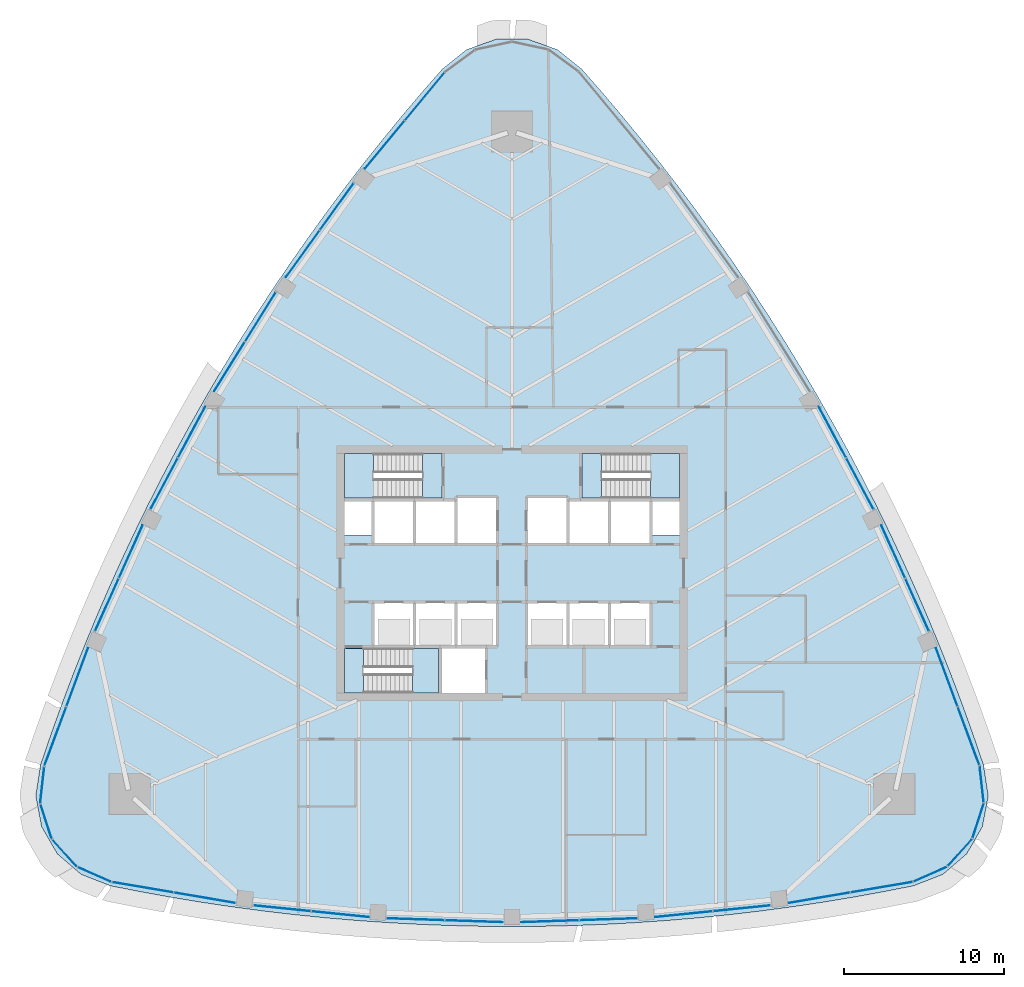
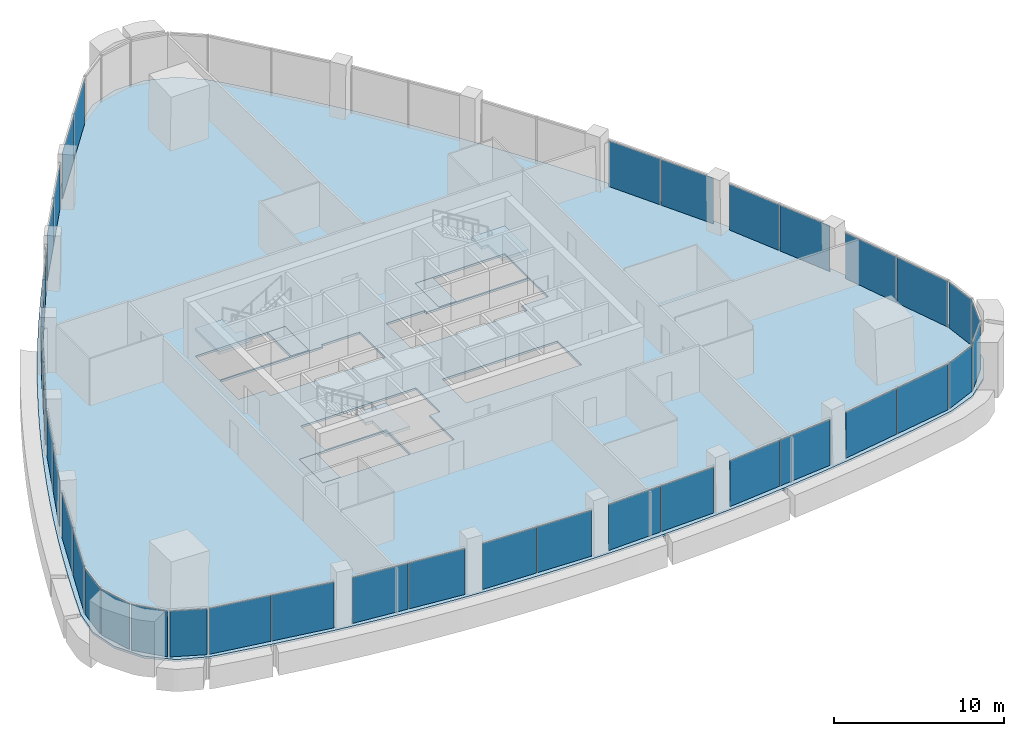
# One storey, part 8 of 16: 38 plates, 7 slabs, 26 elements without a shape of their own.
"""IFC4 building model written with IfcOpenShell, lengths in metres."""

import ifcopenshell
import ifcopenshell.guid

model = None  # the IFC model being written
_history = None  # IfcOwnerHistory: only IFC2X3 demands one
_inside = {}  # id of a spatial element -> (the spatial element, [elements in it])
_under = {}  # id of a project, library or spatial element -> (it, [spatial elements below it])
_declared = {}  # id of a project -> (the project, [libraries it declares])
_typed = {}  # id of a type object -> (the type object, [elements of that type])
_made_of = {}  # id of a material, layer set ... -> (it, [elements and type objects made of it])


def new_model(schema):
    """Start an empty IFC model of exactly this schema.

    Asked for "IFC4X3", IfcOpenShell would pick the latest addendum, in which some entities
    have other attributes; the version numbers below select the first issue.
    IFC2X3 requires an IfcOwnerHistory on every rooted entity: one is made here for all.
    """
    global model, _history
    if schema == "IFC4X3":
        model = ifcopenshell.file(schema_version=(4, 3, 0, 0))
    else:
        model = ifcopenshell.file(schema=schema)
    _inside.clear()
    _under.clear()
    _declared.clear()
    _typed.clear()
    _made_of.clear()
    _history = None
    if model.schema == "IFC2X3":
        org = make("IfcOrganization", Name="unknown")
        user = make(
            "IfcPersonAndOrganization",
            ThePerson=make("IfcPerson", FamilyName="unknown"),
            TheOrganization=org,
        )
        app = make(
            "IfcApplication",
            ApplicationDeveloper=org,
            Version="unknown",
            ApplicationFullName="unknown",
            ApplicationIdentifier="unknown",
        )
        _history = make(
            "IfcOwnerHistory",
            OwningUser=user,
            OwningApplication=app,
            ChangeAction="ADDED",
            CreationDate=0,
        )
    return model


def make(cls, **values):
    """One entity of the class cls with the attributes given. An attribute that is None is left unset."""
    return model.create_entity(
        cls, **{name: value for name, value in values.items() if value is not None}
    )


def rooted(cls, **values):
    """An entity with a GlobalId (a new one), such as an element, a storey or a relation."""
    return make(cls, GlobalId=ifcopenshell.guid.new(), OwnerHistory=_history, **values)


def si_unit(unit_type, name, prefix=None):
    """IfcSIUnit, for example si_unit("LENGTHUNIT", "METRE", prefix="MILLI")."""
    return make("IfcSIUnit", UnitType=unit_type, Prefix=prefix, Name=name)


def assignment(units):
    """IfcUnitAssignment: the units of a project."""
    return None if units is None else make("IfcUnitAssignment", Units=units)


def point(xyz):
    """IfcCartesianPoint."""
    return None if xyz is None else make("IfcCartesianPoint", Coordinates=xyz)


def direction(xyz):
    """IfcDirection."""
    return None if xyz is None else make("IfcDirection", DirectionRatios=xyz)


def frame(location, z_axis=None, x_axis=None):
    """IfcAxis2Placement3D, a coordinate frame: its origin and axes. An axis left out is left unset."""
    return make(
        "IfcAxis2Placement3D",
        Location=point(location),
        Axis=direction(z_axis),
        RefDirection=direction(x_axis),
    )


def frame_2d(location, x_axis=None):
    """IfcAxis2Placement2D, a coordinate frame in the plane: its origin and x axis."""
    return make(
        "IfcAxis2Placement2D", Location=point(location), RefDirection=direction(x_axis)
    )


def origin():
    """The frame at (0, 0, 0) with its axes left unset."""
    return frame((0.0, 0.0, 0.0))


def origin_2d():
    """The frame at (0, 0) in the plane with its x axis left unset."""
    return frame_2d((0.0, 0.0))


def place(relative_to, where):
    """IfcLocalPlacement: puts the frame where relative to a parent placement (None: the world)."""
    return make(
        "IfcLocalPlacement", PlacementRelTo=relative_to, RelativePlacement=where
    )


def context(
    kind, dimensions, precision=None, world=None, true_north=None, identifier=None
):
    """IfcGeometricRepresentationContext, for example the 3D "Model" context."""
    return make(
        "IfcGeometricRepresentationContext",
        ContextIdentifier=identifier,
        ContextType=kind,
        CoordinateSpaceDimension=dimensions,
        Precision=precision,
        WorldCoordinateSystem=world,
        TrueNorth=true_north,
    )


def subcontext(parent, identifier, kind, view, scale=None):
    """IfcGeometricRepresentationSubContext, for example "Body" below "Model"."""
    return make(
        "IfcGeometricRepresentationSubContext",
        ContextIdentifier=identifier,
        ContextType=kind,
        ParentContext=parent,
        TargetScale=scale,
        TargetView=view,
    )


def project(units=None, contexts=None):
    """IfcProject with its units and contexts."""
    return rooted(
        "IfcProject",
        Name="project",
        RepresentationContexts=contexts,
        UnitsInContext=assignment(units),
    )


def spatial(cls, under=None, at=None, **own):
    """A site, building, storey or space (cls), placed at a placement, below another one or the project."""
    s = rooted(cls, ObjectPlacement=at, **own)
    if under is not None:
        _under.setdefault(under.id(), (under, []))[1].append(s)
    return s


def polyline(points):
    """IfcPolyline through the points."""
    return make("IfcPolyline", Points=[point(p) for p in points])


def profile(cls, at=None, kind="AREA", **sizes):
    """A parametric profile (cls). Its sizes go by their IFC names, for example OverallWidth=200.0."""
    return make(cls, ProfileType=kind, Position=at, **sizes)


def rectangle(**sizes):
    """IfcRectangleProfileDef."""
    return profile("IfcRectangleProfileDef", **sizes)


def outline(outer, holes=None, kind="AREA"):
    """IfcArbitraryClosedProfileDef: a profile drawn as a closed curve; with holes, ...WithVoids."""
    if holes is None:
        return make("IfcArbitraryClosedProfileDef", ProfileType=kind, OuterCurve=outer)
    return make(
        "IfcArbitraryProfileDefWithVoids",
        ProfileType=kind,
        OuterCurve=outer,
        InnerCurves=holes,
    )


def extrude(swept, where, along, depth):
    """IfcExtrudedAreaSolid: the profile swept, set in the frame where, extruded along a direction by depth."""
    return make(
        "IfcExtrudedAreaSolid",
        SweptArea=swept,
        Position=where,
        ExtrudedDirection=direction(along),
        Depth=depth,
    )


def shape(context_of_items, identifier, shape_type, items):
    """IfcShapeRepresentation: the items that make up one representation, for example the "Body"."""
    return make(
        "IfcShapeRepresentation",
        ContextOfItems=context_of_items,
        RepresentationIdentifier=identifier,
        RepresentationType=shape_type,
        Items=items,
    )


def material(Name=None, Category=None):
    """IfcMaterial."""
    return make("IfcMaterial", Name=Name, Category=Category)


def layer(
    of_material, thickness, ventilated=None, Name=None, Category=None, Priority=None
):
    """IfcMaterialLayer: one layer of a wall or slab, of a material (None: an air gap)."""
    return make(
        "IfcMaterialLayer",
        Material=of_material,
        LayerThickness=thickness,
        IsVentilated=ventilated,
        Name=Name,
        Category=Category,
        Priority=Priority,
    )


def layer_set(layers, Name=None):
    """IfcMaterialLayerSet."""
    return make("IfcMaterialLayerSet", MaterialLayers=layers, LayerSetName=Name)


def made_of(thing, what):
    """Note that an element or type object is made of a material, layer set ...; save() writes the relation."""
    if what is not None:
        _made_of.setdefault(what.id(), (what, []))[1].append(thing)
    return thing


def type_object(cls, material=None, **own):
    """A type object (cls), such as IfcWallType, which elements share."""
    return made_of(rooted(cls, **own), material)


def element(
    cls,
    number,
    at=None,
    inside=None,
    cuts=None,
    type_object=None,
    material=None,
    context=None,
    identifier="Body",
    shape_type=None,
    held_by="IfcProductDefinitionShape",
    body=None,
    shapes=None,
    **own,
):
    """One element of the class cls, such as IfcWall. Its Tag is "e" and its number.

    at: its placement. inside: the storey or other place that contains it. cuts: it is an
    opening in that element (IfcRelVoidsElement). A single representation is given by context,
    identifier, shape_type and body (its items); several are given by shapes. held_by: the class
    of the entity that holds the representations. save() writes the other relations.
    """
    e = rooted(cls, Tag="e%d" % number, ObjectPlacement=at, **own)
    if body is not None:
        shapes = [shape(context, identifier, shape_type, body)]
    if shapes is not None:
        e.Representation = make(held_by, Representations=shapes)
    if inside is not None:
        _inside.setdefault(inside.id(), (inside, []))[1].append(e)
    if cuts is not None:
        rooted(
            "IfcRelVoidsElement", RelatingBuildingElement=cuts, RelatedOpeningElement=e
        )
    if type_object is not None:
        _typed.setdefault(type_object.id(), (type_object, []))[1].append(e)
    return made_of(e, material)


def aggregate(whole, parts):
    """IfcRelAggregates: a whole, such as a stair, and the parts it consists of."""
    return rooted("IfcRelAggregates", RelatingObject=whole, RelatedObjects=parts)


def save(model, path):
    """Write the relations noted so far, then the file.

    IfcRelAggregates (storeys below a building ...), IfcRelContainedInSpatialStructure (elements
    in a storey), IfcRelDefinesByType, IfcRelAssociatesMaterial and IfcRelDeclares: one each for
    every whole, place, type object, material and project.
    """
    for whole, parts in _under.values():
        aggregate(whole, parts)
    for where, things in _inside.values():
        rooted(
            "IfcRelContainedInSpatialStructure",
            RelatedElements=things,
            RelatingStructure=where,
        )
    for kind, things in _typed.values():
        rooted("IfcRelDefinesByType", RelatedObjects=things, RelatingType=kind)
    for what, things in _made_of.values():
        rooted("IfcRelAssociatesMaterial", RelatedObjects=things, RelatingMaterial=what)
    for by, libraries in _declared.values():
        rooted("IfcRelDeclares", RelatingContext=by, RelatedDefinitions=libraries)
    model.write(path)


model = new_model("IFC4")

# Units and contexts
model_context = context("Model", 3, precision=1e-05, world=origin(), true_north=direction((0.0, 1.0)))
body_context = subcontext(model_context, "Body", "Model", "MODEL_VIEW")
ifc_project = project(units=[si_unit("LENGTHUNIT", "METRE"), si_unit("AREAUNIT", "SQUARE_METRE"), si_unit("VOLUMEUNIT", "CUBIC_METRE"), si_unit("PLANEANGLEUNIT", "RADIAN"), si_unit("MASSUNIT", "GRAM", prefix="KILO")], contexts=[model_context])

# Site, building, storey
site_placement = place(None, origin())
site = spatial("IfcSite", under=ifc_project, at=site_placement, CompositionType="ELEMENT")
building_placement = place(site_placement, origin())
building = spatial("IfcBuilding", under=site, at=building_placement, Name="Sierra Prisma Convention Tower", CompositionType="ELEMENT")
storey_placement = place(building_placement, frame((0.0, 0.0, 165.800048828125)))
storey = spatial("IfcBuildingStorey", under=building, at=storey_placement, Name="L36", CompositionType="ELEMENT", Elevation=165.800048828125)

# Curtain wall, plates
ifc_material_1 = material(Name="Aluminium and glass curtain wall", Category="aluminium")
ifc_layer_1 = layer(ifc_material_1, 0.179931640625)
ifc_layer_set_1 = layer_set([ifc_layer_1], Name="CW-1 Plain shaft curtain wall")
curtain_wall_type = type_object("IfcCurtainWallType", Name="CW-1 Plain shaft curtain wall", PredefinedType="NOTDEFINED", material=ifc_layer_set_1)
curtain_wall_1_placement = place(storey_placement, origin())
curtain_wall_1 = element("IfcCurtainWall", 1, at=curtain_wall_1_placement, inside=storey, type_object=curtain_wall_type, Name="CW-1 S1 L36", PredefinedType="NOTDEFINED")
ifc_material_2 = material(Name="Tinted glass bronze-grey IGU", Category="glass")
ifc_layer_2 = layer(ifc_material_2, 0.028076171875)
ifc_layer_set_2 = layer_set([ifc_layer_2], Name="CW-1 glass panel")
plate_type = type_object("IfcPlateType", Name="CW-1 glass panel", PredefinedType="CURTAIN_PANEL", material=ifc_layer_set_2)
plate_1_placement = place(storey_placement, frame((-23.1279296875, -19.66796875, 0.0), z_axis=(0.0, 0.0, 1.0), x_axis=(0.985842031017, -0.167676742214, 0.0)))
plate_1 = element("IfcPlate", 2, at=plate_1_placement, type_object=plate_type, Name="CW-1 panel S1.1", PredefinedType="CURTAIN_PANEL", context=body_context, shape_type="SweptSolid", body=[
    extrude(rectangle(XDim=3.855712890625, YDim=0.028076171875, at=origin_2d()), origin(), (0.0, 0.0, 1.0), 3.280029296875),
])
plate_2_placement = place(storey_placement, frame((-19.2578125, -20.326171875, 0.0), z_axis=(0.0, 0.0, 1.0), x_axis=(0.985842031017, -0.167676742214, 0.0)))
plate_2 = element("IfcPlate", 3, at=plate_2_placement, type_object=plate_type, Name="CW-1 panel S1.2", PredefinedType="CURTAIN_PANEL", context=body_context, shape_type="SweptSolid", body=[
    extrude(rectangle(XDim=3.855712890625, YDim=0.028076171875, at=origin_2d()), origin(), (0.0, 0.0, 1.0), 3.280029296875),
])
aggregate(curtain_wall_1, [plate_1, plate_2])

curtain_wall_2_placement = place(storey_placement, origin())
curtain_wall_2 = element("IfcCurtainWall", 4, at=curtain_wall_2_placement, inside=storey, type_object=curtain_wall_type, Name="CW-1 S2 L36", PredefinedType="NOTDEFINED")
plate_3_placement = place(storey_placement, frame((-14.401123046875, -20.98779296875, 0.0), z_axis=(0.0, 0.0, 1.0), x_axis=(0.994895407398, -0.100911487644, 0.0)))
plate_3 = element("IfcPlate", 5, at=plate_3_placement, type_object=plate_type, Name="CW-1 panel S2.1", PredefinedType="CURTAIN_PANEL", context=body_context, shape_type="SweptSolid", body=[
    extrude(rectangle(XDim=3.58349609375, YDim=0.028076171875, at=origin_2d()), origin(), (0.0, 0.0, 1.0), 3.280029296875),
])
plate_4_placement = place(storey_placement, frame((-10.766357421875, -21.3564453125, 0.0), z_axis=(0.0, 0.0, 1.0), x_axis=(0.994895407398, -0.100911487644, 0.0)))
plate_4 = element("IfcPlate", 6, at=plate_4_placement, type_object=plate_type, Name="CW-1 panel S2.2", PredefinedType="CURTAIN_PANEL", context=body_context, shape_type="SweptSolid", body=[
    extrude(rectangle(XDim=3.58349609375, YDim=0.028076171875, at=origin_2d()), origin(), (0.0, 0.0, 1.0), 3.280029296875),
])
aggregate(curtain_wall_2, [plate_3, plate_4])

curtain_wall_3_placement = place(storey_placement, origin())
curtain_wall_3 = element("IfcCurtainWall", 7, at=curtain_wall_3_placement, inside=storey, type_object=curtain_wall_type, Name="CW-1 S3 L36", PredefinedType="NOTDEFINED")
plate_5_placement = place(storey_placement, frame((-6.035888671875, -21.675048828125, 0.0), z_axis=(0.0, 0.0, 1.0), x_axis=(0.999432393556, -0.033688139017, 0.0)))
plate_5 = element("IfcPlate", 8, at=plate_5_placement, type_object=plate_type, Name="CW-1 panel S3.1", PredefinedType="CURTAIN_PANEL", context=body_context, shape_type="SweptSolid", body=[
    extrude(rectangle(XDim=3.599365234375, YDim=0.028076171875, at=origin_2d()), origin(), (0.0, 0.0, 1.0), 3.280029296875),
])
plate_6_placement = place(storey_placement, frame((-2.368408203125, -21.798828125, 0.0), z_axis=(0.0, 0.0, 1.0), x_axis=(0.999432393556, -0.033688139017, 0.0)))
plate_6 = element("IfcPlate", 9, at=plate_6_placement, type_object=plate_type, Name="CW-1 panel S3.2", PredefinedType="CURTAIN_PANEL", context=body_context, shape_type="SweptSolid", body=[
    extrude(rectangle(XDim=3.599365234375, YDim=0.028076171875, at=origin_2d()), origin(), (0.0, 0.0, 1.0), 3.280029296875),
])
aggregate(curtain_wall_3, [plate_5, plate_6])

curtain_wall_4_placement = place(storey_placement, origin())
curtain_wall_4 = element("IfcCurtainWall", 10, at=curtain_wall_4_placement, inside=storey, type_object=curtain_wall_type, Name="CW-1 S4 L36", PredefinedType="NOTDEFINED")
plate_7_placement = place(storey_placement, frame((2.368408203125, -21.798828125, 0.0), z_axis=(0.0, 0.0, 1.0), x_axis=(0.999432393556, 0.033688139017, 0.0)))
plate_7 = element("IfcPlate", 11, at=plate_7_placement, type_object=plate_type, Name="CW-1 panel S4.1", PredefinedType="CURTAIN_PANEL", context=body_context, shape_type="SweptSolid", body=[
    extrude(rectangle(XDim=3.599365234375, YDim=0.028076171875, at=origin_2d()), origin(), (0.0, 0.0, 1.0), 3.280029296875),
])
plate_8_placement = place(storey_placement, frame((6.035888671875, -21.675048828125, 0.0), z_axis=(0.0, 0.0, 1.0), x_axis=(0.999432393556, 0.033688139017, 0.0)))
plate_8 = element("IfcPlate", 12, at=plate_8_placement, type_object=plate_type, Name="CW-1 panel S4.2", PredefinedType="CURTAIN_PANEL", context=body_context, shape_type="SweptSolid", body=[
    extrude(rectangle(XDim=3.599365234375, YDim=0.028076171875, at=origin_2d()), origin(), (0.0, 0.0, 1.0), 3.280029296875),
])
aggregate(curtain_wall_4, [plate_7, plate_8])

curtain_wall_5_placement = place(storey_placement, origin())
curtain_wall_5 = element("IfcCurtainWall", 13, at=curtain_wall_5_placement, inside=storey, type_object=curtain_wall_type, Name="CW-1 S5 L36", PredefinedType="NOTDEFINED")
plate_9_placement = place(storey_placement, frame((10.766357421875, -21.3564453125, 0.0), z_axis=(0.0, 0.0, 1.0), x_axis=(0.994895407398, 0.100911487644, 0.0)))
plate_9 = element("IfcPlate", 14, at=plate_9_placement, type_object=plate_type, Name="CW-1 panel S5.1", PredefinedType="CURTAIN_PANEL", context=body_context, shape_type="SweptSolid", body=[
    extrude(rectangle(XDim=3.58349609375, YDim=0.028076171875, at=origin_2d()), origin(), (0.0, 0.0, 1.0), 3.280029296875),
])
plate_10_placement = place(storey_placement, frame((14.401123046875, -20.98779296875, 0.0), z_axis=(0.0, 0.0, 1.0), x_axis=(0.994895407398, 0.100911487644, 0.0)))
plate_10 = element("IfcPlate", 15, at=plate_10_placement, type_object=plate_type, Name="CW-1 panel S5.2", PredefinedType="CURTAIN_PANEL", context=body_context, shape_type="SweptSolid", body=[
    extrude(rectangle(XDim=3.58349609375, YDim=0.028076171875, at=origin_2d()), origin(), (0.0, 0.0, 1.0), 3.280029296875),
])
aggregate(curtain_wall_5, [plate_9, plate_10])

curtain_wall_6_placement = place(storey_placement, origin())
curtain_wall_6 = element("IfcCurtainWall", 16, at=curtain_wall_6_placement, inside=storey, type_object=curtain_wall_type, Name="CW-1 S6 L36", PredefinedType="NOTDEFINED")
plate_11_placement = place(storey_placement, frame((19.2578125, -20.326171875, 0.0), z_axis=(0.0, 0.0, 1.0), x_axis=(0.985842031017, 0.167676742214, 0.0)))
plate_11 = element("IfcPlate", 17, at=plate_11_placement, type_object=plate_type, Name="CW-1 panel S6.1", PredefinedType="CURTAIN_PANEL", context=body_context, shape_type="SweptSolid", body=[
    extrude(rectangle(XDim=3.855712890625, YDim=0.028076171875, at=origin_2d()), origin(), (0.0, 0.0, 1.0), 3.280029296875),
])
plate_12_placement = place(storey_placement, frame((23.1279296875, -19.66796875, 0.0), z_axis=(0.0, 0.0, 1.0), x_axis=(0.985842031017, 0.167676742214, 0.0)))
plate_12 = element("IfcPlate", 18, at=plate_12_placement, type_object=plate_type, Name="CW-1 panel S6.2", PredefinedType="CURTAIN_PANEL", context=body_context, shape_type="SweptSolid", body=[
    extrude(rectangle(XDim=3.855712890625, YDim=0.028076171875, at=origin_2d()), origin(), (0.0, 0.0, 1.0), 3.280029296875),
])
aggregate(curtain_wall_6, [plate_11, plate_12])

# Curtain wall, plate
curtain_wall_7_placement = place(storey_placement, origin())
curtain_wall_7 = element("IfcCurtainWall", 19, at=curtain_wall_7_placement, inside=storey, type_object=curtain_wall_type, Name="CW-1 SE1 L36", PredefinedType="NOTDEFINED")
plate_13_placement = place(storey_placement, frame((26.174072265625, -18.860595703125, 0.0), z_axis=(0.0, 0.0, 1.0), x_axis=(0.915750328938, 0.401747850089, 0.0)))
plate_13 = element("IfcPlate", 20, at=plate_13_placement, type_object=plate_type, Name="CW-1 panel SE1.1", PredefinedType="CURTAIN_PANEL", context=body_context, shape_type="SweptSolid", body=[
    extrude(rectangle(XDim=2.21142578125, YDim=0.028076171875, at=origin_2d()), origin(), (0.0, 0.0, 1.0), 3.280029296875),
])
aggregate(curtain_wall_7, [plate_13])

curtain_wall_8_placement = place(storey_placement, origin())
curtain_wall_8 = element("IfcCurtainWall", 21, at=curtain_wall_8_placement, inside=storey, type_object=curtain_wall_type, Name="CW-1 SE2 L36", PredefinedType="NOTDEFINED")
plate_14_placement = place(storey_placement, frame((28.039306640625, -17.515869140625, 0.0), z_axis=(0.0, 0.0, 1.0), x_axis=(0.670480615817, 0.741927047501, 0.0)))
plate_14 = element("IfcPlate", 22, at=plate_14_placement, type_object=plate_type, Name="CW-1 panel SE2.1", PredefinedType="CURTAIN_PANEL", context=body_context, shape_type="SweptSolid", body=[
    extrude(rectangle(XDim=2.21142578125, YDim=0.028076171875, at=origin_2d()), origin(), (0.0, 0.0, 1.0), 3.280029296875),
])
aggregate(curtain_wall_8, [plate_14])

curtain_wall_9_placement = place(storey_placement, origin())
curtain_wall_9 = element("IfcCurtainWall", 23, at=curtain_wall_9_placement, inside=storey, type_object=curtain_wall_type, Name="CW-1 SE3 L36", PredefinedType="NOTDEFINED")
plate_15_placement = place(storey_placement, frame((29.188720703125, -15.524658203125, 0.0), z_axis=(0.0, 0.0, 1.0), x_axis=(0.307287362982, 0.951616769793, 0.0)))
plate_15 = element("IfcPlate", 24, at=plate_15_placement, type_object=plate_type, Name="CW-1 panel SE3.1", PredefinedType="CURTAIN_PANEL", context=body_context, shape_type="SweptSolid", body=[
    extrude(rectangle(XDim=2.21142578125, YDim=0.028076171875, at=origin_2d()), origin(), (0.0, 0.0, 1.0), 3.280029296875),
])
aggregate(curtain_wall_9, [plate_15])

curtain_wall_10_placement = place(storey_placement, origin())
curtain_wall_10 = element("IfcCurtainWall", 25, at=curtain_wall_10_placement, inside=storey, type_object=curtain_wall_type, Name="CW-1 SE4 L36", PredefinedType="NOTDEFINED")
plate_16_placement = place(storey_placement, frame((29.4208984375, -13.2373046875, 0.0), z_axis=(0.0, 0.0, 1.0), x_axis=(-0.109951320376, 0.993936973428, 0.0)))
plate_16 = element("IfcPlate", 26, at=plate_16_placement, type_object=plate_type, Name="CW-1 panel SE4.1", PredefinedType="CURTAIN_PANEL", context=body_context, shape_type="SweptSolid", body=[
    extrude(rectangle(XDim=2.21142578125, YDim=0.028076171875, at=origin_2d()), origin(), (0.0, 0.0, 1.0), 3.280029296875),
])
aggregate(curtain_wall_10, [plate_16])

# Curtain wall, plates
curtain_wall_11_placement = place(storey_placement, origin())
curtain_wall_11 = element("IfcCurtainWall", 27, at=curtain_wall_11_placement, inside=storey, type_object=curtain_wall_type, Name="CW-1 NE1 L36", PredefinedType="NOTDEFINED")
plate_17_placement = place(storey_placement, frame((28.596923828125, -10.1953125, 0.0), z_axis=(0.0, 0.0, 1.0), x_axis=(-0.347708697128, 0.937602614086, 0.0)))
plate_17 = element("IfcPlate", 28, at=plate_17_placement, type_object=plate_type, Name="CW-1 panel NE1.1", PredefinedType="CURTAIN_PANEL", context=body_context, shape_type="SweptSolid", body=[
    extrude(rectangle(XDim=3.855712890625, YDim=0.028076171875, at=origin_2d()), origin(), (0.0, 0.0, 1.0), 3.280029296875),
])
plate_18_placement = place(storey_placement, frame((27.23193359375, -6.5146484375, 0.0), z_axis=(0.0, 0.0, 1.0), x_axis=(-0.347708697128, 0.937602614086, 0.0)))
plate_18 = element("IfcPlate", 29, at=plate_18_placement, type_object=plate_type, Name="CW-1 panel NE1.2", PredefinedType="CURTAIN_PANEL", context=body_context, shape_type="SweptSolid", body=[
    extrude(rectangle(XDim=3.855712890625, YDim=0.028076171875, at=origin_2d()), origin(), (0.0, 0.0, 1.0), 3.280029296875),
])
aggregate(curtain_wall_11, [plate_17, plate_18])

curtain_wall_12_placement = place(storey_placement, origin())
curtain_wall_12 = element("IfcCurtainWall", 30, at=curtain_wall_12_placement, inside=storey, type_object=curtain_wall_type, Name="CW-1 NE2 L36", PredefinedType="NOTDEFINED")
plate_19_placement = place(storey_placement, frame((25.376708984375, -1.97802734375, 0.0), z_axis=(0.0, 0.0, 1.0), x_axis=(-0.410055791866, 0.912060440737, 0.0)))
plate_19 = element("IfcPlate", 31, at=plate_19_placement, type_object=plate_type, Name="CW-1 panel NE2.1", PredefinedType="CURTAIN_PANEL", context=body_context, shape_type="SweptSolid", body=[
    extrude(rectangle(XDim=3.58349609375, YDim=0.028076171875, at=origin_2d()), origin(), (0.0, 0.0, 1.0), 3.280029296875),
])
plate_20_placement = place(storey_placement, frame((23.87841796875, 1.354248046875, 0.0), z_axis=(0.0, 0.0, 1.0), x_axis=(-0.410055791866, 0.912060440737, 0.0)))
plate_20 = element("IfcPlate", 32, at=plate_20_placement, type_object=plate_type, Name="CW-1 panel NE2.2", PredefinedType="CURTAIN_PANEL", context=body_context, shape_type="SweptSolid", body=[
    extrude(rectangle(XDim=3.58349609375, YDim=0.028076171875, at=origin_2d()), origin(), (0.0, 0.0, 1.0), 3.280029296875),
])
aggregate(curtain_wall_12, [plate_19, plate_20])

curtain_wall_13_placement = place(storey_placement, origin())
curtain_wall_13 = element("IfcCurtainWall", 33, at=curtain_wall_13_placement, inside=storey, type_object=curtain_wall_type, Name="CW-1 NE3 L36", PredefinedType="NOTDEFINED")
plate_21_placement = place(storey_placement, frame((21.7890625, 5.6103515625, 0.0), z_axis=(0.0, 0.0, 1.0), x_axis=(-0.470541412583, 0.882377911693, 0.0)))
plate_21 = element("IfcPlate", 34, at=plate_21_placement, type_object=plate_type, Name="CW-1 panel NE3.1", PredefinedType="CURTAIN_PANEL", context=body_context, shape_type="SweptSolid", body=[
    extrude(rectangle(XDim=3.599609375, YDim=0.028076171875, at=origin_2d()), origin(), (0.0, 0.0, 1.0), 3.280029296875),
])
plate_22_placement = place(storey_placement, frame((20.0625, 8.84814453125, 0.0), z_axis=(0.0, 0.0, 1.0), x_axis=(-0.470541412583, 0.882377911693, 0.0)))
plate_22 = element("IfcPlate", 35, at=plate_22_placement, type_object=plate_type, Name="CW-1 panel NE3.2", PredefinedType="CURTAIN_PANEL", context=body_context, shape_type="SweptSolid", body=[
    extrude(rectangle(XDim=3.599609375, YDim=0.028076171875, at=origin_2d()), origin(), (0.0, 0.0, 1.0), 3.280029296875),
])
aggregate(curtain_wall_13, [plate_21, plate_22])

curtain_wall_14_placement = place(storey_placement, origin())
curtain_wall_14 = element("IfcCurtainWall", 36, at=curtain_wall_14_placement, inside=storey, type_object=curtain_wall_type, Name="CW-1 NW1 L36", PredefinedType="NOTDEFINED")
plate_23_placement = place(storey_placement, frame((-5.468994140625, 29.86328125, 0.0), z_axis=(0.0, 0.0, 1.0), x_axis=(-0.63813333389, -0.769925871873, 0.0)))
plate_23 = element("IfcPlate", 37, at=plate_23_placement, type_object=plate_type, Name="CW-1 panel NW1.1", PredefinedType="CURTAIN_PANEL", context=body_context, shape_type="SweptSolid", body=[
    extrude(rectangle(XDim=3.855712890625, YDim=0.028076171875, at=origin_2d()), origin(), (0.0, 0.0, 1.0), 3.280029296875),
])
plate_24_placement = place(storey_placement, frame((-7.97412109375, 26.8408203125, 0.0), z_axis=(0.0, 0.0, 1.0), x_axis=(-0.63813333389, -0.769925871873, 0.0)))
plate_24 = element("IfcPlate", 38, at=plate_24_placement, type_object=plate_type, Name="CW-1 panel NW1.2", PredefinedType="CURTAIN_PANEL", context=body_context, shape_type="SweptSolid", body=[
    extrude(rectangle(XDim=3.855712890625, YDim=0.028076171875, at=origin_2d()), origin(), (0.0, 0.0, 1.0), 3.280029296875),
])
aggregate(curtain_wall_14, [plate_23, plate_24])

curtain_wall_15_placement = place(storey_placement, origin())
curtain_wall_15 = element("IfcCurtainWall", 39, at=curtain_wall_15_placement, inside=storey, type_object=curtain_wall_type, Name="CW-1 NW2 L36", PredefinedType="NOTDEFINED")
plate_25_placement = place(storey_placement, frame((-10.9755859375, 22.965576171875, 0.0), z_axis=(0.0, 0.0, 1.0), x_axis=(-0.584839615532, -0.811148953093, 0.0)))
plate_25 = element("IfcPlate", 40, at=plate_25_placement, type_object=plate_type, Name="CW-1 panel NW2.1", PredefinedType="CURTAIN_PANEL", context=body_context, shape_type="SweptSolid", body=[
    extrude(rectangle(XDim=3.58349609375, YDim=0.028076171875, at=origin_2d()), origin(), (0.0, 0.0, 1.0), 3.280029296875),
])
plate_26_placement = place(storey_placement, frame((-13.112060546875, 20.002197265625, 0.0), z_axis=(0.0, 0.0, 1.0), x_axis=(-0.584839615532, -0.811148953093, 0.0)))
plate_26 = element("IfcPlate", 41, at=plate_26_placement, type_object=plate_type, Name="CW-1 panel NW2.2", PredefinedType="CURTAIN_PANEL", context=body_context, shape_type="SweptSolid", body=[
    extrude(rectangle(XDim=3.58349609375, YDim=0.028076171875, at=origin_2d()), origin(), (0.0, 0.0, 1.0), 3.280029296875),
])
aggregate(curtain_wall_15, [plate_25, plate_26])

curtain_wall_16_placement = place(storey_placement, origin())
curtain_wall_16 = element("IfcCurtainWall", 42, at=curtain_wall_16_placement, inside=storey, type_object=curtain_wall_type, Name="CW-1 NW3 L36", PredefinedType="NOTDEFINED")
plate_27_placement = place(storey_placement, frame((-15.75341796875, 16.064697265625, 0.0), z_axis=(0.0, 0.0, 1.0), x_axis=(-0.528890980973, -0.848689772676, 0.0)))
plate_27 = element("IfcPlate", 43, at=plate_27_placement, type_object=plate_type, Name="CW-1 panel NW3.1", PredefinedType="CURTAIN_PANEL", context=body_context, shape_type="SweptSolid", body=[
    extrude(rectangle(XDim=3.599365234375, YDim=0.028076171875, at=origin_2d()), origin(), (0.0, 0.0, 1.0), 3.280029296875),
])
plate_28_placement = place(storey_placement, frame((-17.694091796875, 12.950439453125, 0.0), z_axis=(0.0, 0.0, 1.0), x_axis=(-0.528890980973, -0.848689772676, 0.0)))
plate_28 = element("IfcPlate", 44, at=plate_28_placement, type_object=plate_type, Name="CW-1 panel NW3.2", PredefinedType="CURTAIN_PANEL", context=body_context, shape_type="SweptSolid", body=[
    extrude(rectangle(XDim=3.599365234375, YDim=0.028076171875, at=origin_2d()), origin(), (0.0, 0.0, 1.0), 3.280029296875),
])
aggregate(curtain_wall_16, [plate_27, plate_28])

curtain_wall_17_placement = place(storey_placement, origin())
curtain_wall_17 = element("IfcCurtainWall", 45, at=curtain_wall_17_placement, inside=storey, type_object=curtain_wall_type, Name="CW-1 NW4 L36", PredefinedType="NOTDEFINED")
plate_29_placement = place(storey_placement, frame((-20.0625, 8.848388671875, 0.0), z_axis=(0.0, 0.0, 1.0), x_axis=(-0.470541412583, -0.882377911693, 0.0)))
plate_29 = element("IfcPlate", 46, at=plate_29_placement, type_object=plate_type, Name="CW-1 panel NW4.1", PredefinedType="CURTAIN_PANEL", context=body_context, shape_type="SweptSolid", body=[
    extrude(rectangle(XDim=3.599365234375, YDim=0.028076171875, at=origin_2d()), origin(), (0.0, 0.0, 1.0), 3.280029296875),
])
plate_30_placement = place(storey_placement, frame((-21.7890625, 5.6103515625, 0.0), z_axis=(0.0, 0.0, 1.0), x_axis=(-0.470541412583, -0.882377911693, 0.0)))
plate_30 = element("IfcPlate", 47, at=plate_30_placement, type_object=plate_type, Name="CW-1 panel NW4.2", PredefinedType="CURTAIN_PANEL", context=body_context, shape_type="SweptSolid", body=[
    extrude(rectangle(XDim=3.599365234375, YDim=0.028076171875, at=origin_2d()), origin(), (0.0, 0.0, 1.0), 3.280029296875),
])
aggregate(curtain_wall_17, [plate_29, plate_30])

curtain_wall_18_placement = place(storey_placement, origin())
curtain_wall_18 = element("IfcCurtainWall", 48, at=curtain_wall_18_placement, inside=storey, type_object=curtain_wall_type, Name="CW-1 NW5 L36", PredefinedType="NOTDEFINED")
plate_31_placement = place(storey_placement, frame((-23.87841796875, 1.354248046875, 0.0), z_axis=(0.0, 0.0, 1.0), x_axis=(-0.410055791866, -0.912060440737, 0.0)))
plate_31 = element("IfcPlate", 49, at=plate_31_placement, type_object=plate_type, Name="CW-1 panel NW5.1", PredefinedType="CURTAIN_PANEL", context=body_context, shape_type="SweptSolid", body=[
    extrude(rectangle(XDim=3.58349609375, YDim=0.028076171875, at=origin_2d()), origin(), (0.0, 0.0, 1.0), 3.280029296875),
])
plate_32_placement = place(storey_placement, frame((-25.376708984375, -1.977783203125, 0.0), z_axis=(0.0, 0.0, 1.0), x_axis=(-0.410055791866, -0.912060440737, 0.0)))
plate_32 = element("IfcPlate", 50, at=plate_32_placement, type_object=plate_type, Name="CW-1 panel NW5.2", PredefinedType="CURTAIN_PANEL", context=body_context, shape_type="SweptSolid", body=[
    extrude(rectangle(XDim=3.58349609375, YDim=0.028076171875, at=origin_2d()), origin(), (0.0, 0.0, 1.0), 3.280029296875),
])
aggregate(curtain_wall_18, [plate_31, plate_32])

curtain_wall_19_placement = place(storey_placement, origin())
curtain_wall_19 = element("IfcCurtainWall", 51, at=curtain_wall_19_placement, inside=storey, type_object=curtain_wall_type, Name="CW-1 NW6 L36", PredefinedType="NOTDEFINED")
plate_33_placement = place(storey_placement, frame((-27.23193359375, -6.5146484375, 0.0), z_axis=(0.0, 0.0, 1.0), x_axis=(-0.347708697128, -0.937602614086, 0.0)))
plate_33 = element("IfcPlate", 52, at=plate_33_placement, type_object=plate_type, Name="CW-1 panel NW6.1", PredefinedType="CURTAIN_PANEL", context=body_context, shape_type="SweptSolid", body=[
    extrude(rectangle(XDim=3.855712890625, YDim=0.028076171875, at=origin_2d()), origin(), (0.0, 0.0, 1.0), 3.280029296875),
])
plate_34_placement = place(storey_placement, frame((-28.596923828125, -10.1953125, 0.0), z_axis=(0.0, 0.0, 1.0), x_axis=(-0.347708697128, -0.937602614086, 0.0)))
plate_34 = element("IfcPlate", 53, at=plate_34_placement, type_object=plate_type, Name="CW-1 panel NW6.2", PredefinedType="CURTAIN_PANEL", context=body_context, shape_type="SweptSolid", body=[
    extrude(rectangle(XDim=3.855712890625, YDim=0.028076171875, at=origin_2d()), origin(), (0.0, 0.0, 1.0), 3.280029296875),
])
aggregate(curtain_wall_19, [plate_33, plate_34])

# Curtain wall, plate
curtain_wall_20_placement = place(storey_placement, origin())
curtain_wall_20 = element("IfcCurtainWall", 54, at=curtain_wall_20_placement, inside=storey, type_object=curtain_wall_type, Name="CW-1 SW1 L36", PredefinedType="NOTDEFINED")
plate_35_placement = place(storey_placement, frame((-29.4208984375, -13.2373046875, 0.0), z_axis=(0.0, 0.0, 1.0), x_axis=(-0.109951320376, -0.993936973428, 0.0)))
plate_35 = element("IfcPlate", 55, at=plate_35_placement, type_object=plate_type, Name="CW-1 panel SW1.1", PredefinedType="CURTAIN_PANEL", context=body_context, shape_type="SweptSolid", body=[
    extrude(rectangle(XDim=2.21142578125, YDim=0.028076171875, at=origin_2d()), origin(), (0.0, 0.0, 1.0), 3.280029296875),
])
aggregate(curtain_wall_20, [plate_35])

curtain_wall_21_placement = place(storey_placement, origin())
curtain_wall_21 = element("IfcCurtainWall", 56, at=curtain_wall_21_placement, inside=storey, type_object=curtain_wall_type, Name="CW-1 SW2 L36", PredefinedType="NOTDEFINED")
plate_36_placement = place(storey_placement, frame((-29.188720703125, -15.524658203125, 0.0), z_axis=(0.0, 0.0, 1.0), x_axis=(0.307287362982, -0.951616769793, 0.0)))
plate_36 = element("IfcPlate", 57, at=plate_36_placement, type_object=plate_type, Name="CW-1 panel SW2.1", PredefinedType="CURTAIN_PANEL", context=body_context, shape_type="SweptSolid", body=[
    extrude(rectangle(XDim=2.21142578125, YDim=0.028076171875, at=origin_2d()), origin(), (0.0, 0.0, 1.0), 3.280029296875),
])
aggregate(curtain_wall_21, [plate_36])

curtain_wall_22_placement = place(storey_placement, origin())
curtain_wall_22 = element("IfcCurtainWall", 58, at=curtain_wall_22_placement, inside=storey, type_object=curtain_wall_type, Name="CW-1 SW3 L36", PredefinedType="NOTDEFINED")
plate_37_placement = place(storey_placement, frame((-28.039306640625, -17.515869140625, 0.0), z_axis=(0.0, 0.0, 1.0), x_axis=(0.670480615817, -0.741927047501, 0.0)))
plate_37 = element("IfcPlate", 59, at=plate_37_placement, type_object=plate_type, Name="CW-1 panel SW3.1", PredefinedType="CURTAIN_PANEL", context=body_context, shape_type="SweptSolid", body=[
    extrude(rectangle(XDim=2.21142578125, YDim=0.028076171875, at=origin_2d()), origin(), (0.0, 0.0, 1.0), 3.280029296875),
])
aggregate(curtain_wall_22, [plate_37])

curtain_wall_23_placement = place(storey_placement, origin())
curtain_wall_23 = element("IfcCurtainWall", 60, at=curtain_wall_23_placement, inside=storey, type_object=curtain_wall_type, Name="CW-1 SW4 L36", PredefinedType="NOTDEFINED")
plate_38_placement = place(storey_placement, frame((-26.174072265625, -18.860595703125, 0.0), z_axis=(0.0, 0.0, 1.0), x_axis=(0.915750328938, -0.401747850089, 0.0)))
plate_38 = element("IfcPlate", 61, at=plate_38_placement, type_object=plate_type, Name="CW-1 panel SW4.1", PredefinedType="CURTAIN_PANEL", context=body_context, shape_type="SweptSolid", body=[
    extrude(rectangle(XDim=2.21142578125, YDim=0.028076171875, at=origin_2d()), origin(), (0.0, 0.0, 1.0), 3.280029296875),
])
aggregate(curtain_wall_23, [plate_38])

# Slab
ifc_material_3 = material(Name="Concrete C35/45", Category="concrete")
ifc_layer_3 = layer(ifc_material_3, 0.14990234375)
ifc_layer_set_3 = layer_set([ifc_layer_3], Name="Composite floor slab 150")
slab_type_1 = type_object("IfcSlabType", Name="Composite floor slab 150", PredefinedType="FLOOR", material=ifc_layer_set_3)
slab_1_placement = place(storey_placement, frame((0.0, 0.0, -0.150146484375)))
element("IfcSlab", 62, at=slab_1_placement, inside=storey, type_object=slab_type_1, Name="Floor slab L36 floor", PredefinedType="FLOOR", context=body_context, shape_type="SweptSolid", body=[
    extrude(outline(polyline([(-25.147705078125, -19.577880859375), (-23.23681640625, -19.9541015625), (-21.320068359375, -20.300537109375), (-19.3984375, -20.6171875), (-17.471923828125, -20.90380859375), (-15.541259765625, -21.16064453125), (-13.60693359375, -21.38720703125), (-11.669189453125, -21.583740234375), (-9.728515625, -21.750244140625), (-7.78564453125, -21.88623046875), (-5.8408203125, -21.9921875), (-3.894775390625, -22.068115234375), (-1.947509765625, -22.113525390625), (0.0, -22.128662109375), (1.947509765625, -22.113525390625), (3.894775390625, -22.068115234375), (5.8408203125, -21.9921875), (7.78564453125, -21.88623046875), (9.728515625, -21.750244140625), (11.669189453125, -21.583740234375), (13.60693359375, -21.38720703125), (15.541259765625, -21.16064453125), (17.471923828125, -20.90380859375), (19.3984375, -20.6171875), (21.320068359375, -20.300537109375), (23.23681640625, -19.9541015625), (25.147705078125, -19.577880859375), (26.98388671875, -18.86328125), (28.479248046875, -17.580078125), (29.46435546875, -15.87353515625), (29.827880859375, -13.93701171875), (29.52880859375, -11.989501953125), (28.899169921875, -10.146484375), (28.240966796875, -8.3134765625), (27.55419921875, -6.490966796875), (26.83935546875, -4.67919921875), (26.09619140625, -2.87890625), (25.3251953125, -1.09033203125), (24.526611328125, 0.68603515625), (23.700439453125, 2.449951171875), (22.846923828125, 4.20068359375), (21.96630859375, 5.937744140625), (21.058837890625, 7.6611328125), (20.12451171875, 9.3701171875), (19.163818359375, 11.064208984375), (18.177001953125, 12.743408203125), (17.1640625, 14.406982421875), (16.12548828125, 16.054443359375), (15.061279296875, 17.685791015625), (13.971923828125, 19.30029296875), (12.857421875, 20.897705078125), (11.718505859375, 22.4775390625), (10.554931640625, 24.039306640625), (9.367431640625, 25.5830078125), (8.15576171875, 27.108154296875), (6.920654296875, 28.614013671875), (5.662353515625, 30.1005859375), (4.381103515625, 31.5673828125), (2.843994140625, 32.80029296875), (0.985107421875, 33.45361328125), (-0.985107421875, 33.45361328125), (-2.843994140625, 32.80029296875), (-4.381103515625, 31.5673828125), (-5.662353515625, 30.1005859375), (-6.920654296875, 28.614013671875), (-8.15576171875, 27.108154296875), (-9.367431640625, 25.5830078125), (-10.554931640625, 24.039306640625), (-11.718505859375, 22.4775390625), (-12.857421875, 20.897705078125), (-13.971923828125, 19.30029296875), (-15.061279296875, 17.685791015625), (-16.12548828125, 16.054443359375), (-17.1640625, 14.406982421875), (-18.177001953125, 12.743408203125), (-19.163818359375, 11.064208984375), (-20.12451171875, 9.3701171875), (-21.058837890625, 7.6611328125), (-21.96630859375, 5.937744140625), (-22.846923828125, 4.20068359375), (-23.700439453125, 2.449951171875), (-24.526611328125, 0.68603515625), (-25.3251953125, -1.09033203125), (-26.09619140625, -2.87890625), (-26.83935546875, -4.67919921875), (-27.55419921875, -6.490966796875), (-28.240966796875, -8.3134765625), (-28.899169921875, -10.146484375), (-29.52880859375, -11.989501953125), (-29.827880859375, -13.93701171875), (-29.46435546875, -15.87353515625), (-28.479248046875, -17.580078125), (-26.98388671875, -18.86328125), (-25.147705078125, -19.577880859375)]), holes=[polyline([(-4.60009765625, -7.5), (-10.5, -7.5), (-10.5, -4.699951171875), (-4.60009765625, -4.699951171875), (-4.60009765625, -7.5)]), polyline([(-8.699951171875, -4.60009765625), (-8.699951171875, -1.800048828125), (-6.10009765625, -1.800048828125), (-3.5, -1.800048828125), (-0.89990234375, -1.800048828125), (-0.89990234375, -4.60009765625), (-1.60009765625, -4.60009765625), (-1.60009765625, -7.5), (-4.5, -7.5), (-4.5, -4.60009765625), (-6.10009765625, -4.60009765625), (-8.699951171875, -4.60009765625)]), polyline([(-10.5, 4.60009765625), (-8.699951171875, 4.60009765625), (-6.10009765625, 4.60009765625), (-3.5, 4.60009765625), (-3.5, 4.800048828125), (-0.89990234375, 4.800048828125), (-0.89990234375, 1.800048828125), (-3.5, 1.800048828125), (-6.10009765625, 1.800048828125), (-8.699951171875, 1.800048828125), (-8.699951171875, 2.39990234375), (-10.5, 2.39990234375), (-10.5, 4.60009765625)]), polyline([(-10.5, 4.699951171875), (-10.5, 7.5), (-4.39990234375, 7.5), (-4.39990234375, 4.699951171875), (-10.5, 4.699951171875)]), polyline([(6.10009765625, -1.800048828125), (8.699951171875, -1.800048828125), (8.699951171875, -4.60009765625), (6.10009765625, -4.60009765625), (3.5, -4.60009765625), (0.89990234375, -4.60009765625), (0.89990234375, -1.800048828125), (3.5, -1.800048828125), (6.10009765625, -1.800048828125)]), polyline([(8.699951171875, 4.60009765625), (10.5, 4.60009765625), (10.5, 2.39990234375), (8.699951171875, 2.39990234375), (8.699951171875, 1.800048828125), (6.10009765625, 1.800048828125), (3.5, 1.800048828125), (0.89990234375, 1.800048828125), (0.89990234375, 4.800048828125), (3.5, 4.800048828125), (3.5, 4.60009765625), (6.10009765625, 4.60009765625), (8.699951171875, 4.60009765625)]), polyline([(4.39990234375, 4.699951171875), (4.39990234375, 7.5), (10.5, 7.5), (10.5, 4.699951171875), (4.39990234375, 4.699951171875)])]), origin(), (0.0, 0.0, 1.0), 0.150146484375),
])

# Stair, slab
ifc_material_4 = material(Name="Concrete C30/37", Category="concrete")
stair_type = type_object("IfcStairType", Name="Stair dog-leg 1200 RC", PredefinedType="HALF_TURN_STAIR", material=ifc_material_4)
stair_1_placement = place(storey_placement, origin())
stair_1 = element("IfcStair", 63, at=stair_1_placement, inside=storey, type_object=stair_type, Name="L36 S1", PredefinedType="HALF_TURN_STAIR")
ifc_material_5 = material(Name="Concrete C35/45", Category="concrete")
ifc_layer_4 = layer(ifc_material_5, 0.199951171875)
ifc_layer_set_4 = layer_set([ifc_layer_4], Name="Stair landing slab")
slab_type_2 = type_object("IfcSlabType", Name="Stair landing slab", PredefinedType="LANDING", material=ifc_layer_set_4)
slab_2_placement = place(storey_placement, frame((0.0, 0.0, 1.800048828125)))
slab_2 = element("IfcSlab", 64, at=slab_2_placement, type_object=slab_type_2, Name="S1 landing 1", PredefinedType="LANDING", context=body_context, shape_type="SweptSolid", body=[
    extrude(outline(polyline([(-4.60009765625, -4.699951171875), (-4.60009765625, -7.5), (-6.221923828125, -7.5), (-6.221923828125, -5.89990234375), (-6.669921875, -5.89990234375), (-6.669921875, -4.699951171875), (-4.60009765625, -4.699951171875)])), origin(), (0.0, 0.0, 1.0), 0.199951171875),
])
aggregate(stair_1, [slab_2])

# Slab
slab_3_placement = place(storey_placement, frame((0.0, 0.0, -0.199951171875)))
element("IfcSlab", 65, at=slab_3_placement, inside=storey, type_object=slab_type_2, Name="S1 floor landing L36", PredefinedType="LANDING", context=body_context, shape_type="SweptSolid", body=[
    extrude(outline(polyline([(-10.5, -7.5), (-9.298095703125, -7.5), (-9.298095703125, -4.699951171875), (-10.5, -4.699951171875), (-10.5, -7.5)])), origin(), (0.0, 0.0, 1.0), 0.199951171875),
])

# Stair, slab
stair_2_placement = place(storey_placement, origin())
stair_2 = element("IfcStair", 66, at=stair_2_placement, inside=storey, type_object=stair_type, Name="L36 S3", PredefinedType="HALF_TURN_STAIR")
slab_4_placement = place(storey_placement, frame((0.0, 0.0, 1.800048828125)))
slab_4 = element("IfcSlab", 67, at=slab_4_placement, type_object=slab_type_2, Name="S3 landing 1", PredefinedType="LANDING", context=body_context, shape_type="SweptSolid", body=[
    extrude(outline(polyline([(-8.22998046875, 5.89990234375), (-8.22998046875, 4.699951171875), (-10.5, 4.699951171875), (-10.5, 7.5), (-8.677978515625, 7.5), (-8.677978515625, 5.89990234375), (-8.22998046875, 5.89990234375)])), origin(), (0.0, 0.0, 1.0), 0.199951171875),
])
aggregate(stair_2, [slab_4])

# Slab
slab_5_placement = place(storey_placement, frame((0.0, 0.0, -0.199951171875)))
element("IfcSlab", 68, at=slab_5_placement, inside=storey, type_object=slab_type_2, Name="S3 floor landing L36", PredefinedType="LANDING", context=body_context, shape_type="SweptSolid", body=[
    extrude(outline(polyline([(-4.39990234375, 7.5), (-5.60205078125, 7.5), (-5.60205078125, 4.699951171875), (-4.39990234375, 4.699951171875), (-4.39990234375, 7.5)])), origin(), (0.0, 0.0, 1.0), 0.199951171875),
])

# Stair, slab
stair_3_placement = place(storey_placement, origin())
stair_3 = element("IfcStair", 69, at=stair_3_placement, inside=storey, type_object=stair_type, Name="L36 S4", PredefinedType="HALF_TURN_STAIR")
slab_6_placement = place(storey_placement, frame((0.0, 0.0, 1.800048828125)))
slab_6 = element("IfcSlab", 70, at=slab_6_placement, type_object=slab_type_2, Name="S4 landing 1", PredefinedType="LANDING", context=body_context, shape_type="SweptSolid", body=[
    extrude(outline(polyline([(10.5, 7.5), (10.5, 4.699951171875), (8.677978515625, 4.699951171875), (8.677978515625, 6.300048828125), (8.22998046875, 6.300048828125), (8.22998046875, 7.5), (10.5, 7.5)])), origin(), (0.0, 0.0, 1.0), 0.199951171875),
])
aggregate(stair_3, [slab_6])

# Slab
slab_7_placement = place(storey_placement, frame((0.0, 0.0, -0.199951171875)))
element("IfcSlab", 71, at=slab_7_placement, inside=storey, type_object=slab_type_2, Name="S4 floor landing L36", PredefinedType="LANDING", context=body_context, shape_type="SweptSolid", body=[
    extrude(outline(polyline([(4.39990234375, 4.699951171875), (5.60205078125, 4.699951171875), (5.60205078125, 7.5), (4.39990234375, 7.5), (4.39990234375, 4.699951171875)])), origin(), (0.0, 0.0, 1.0), 0.199951171875),
])

save(model, "model.ifc")
